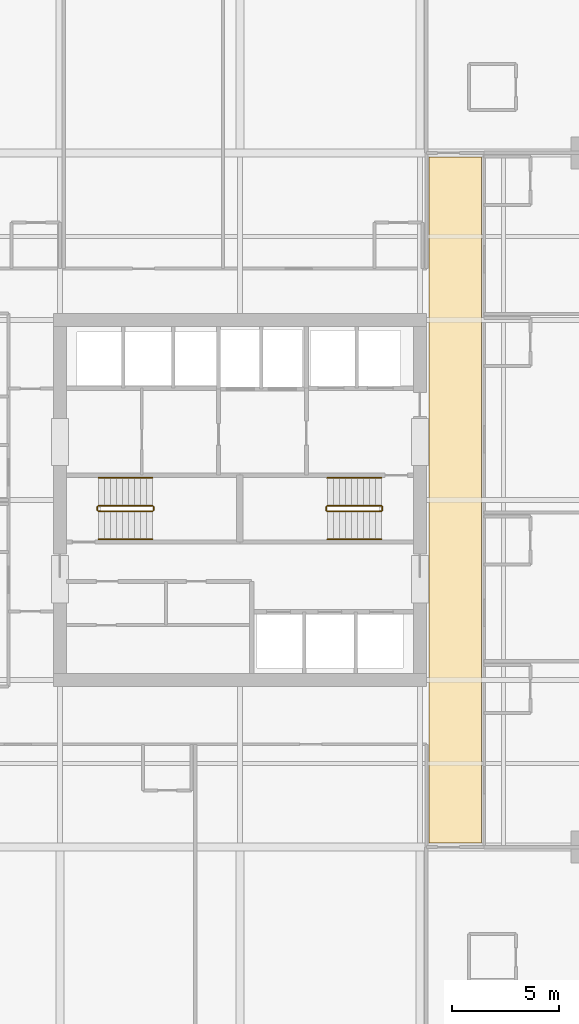
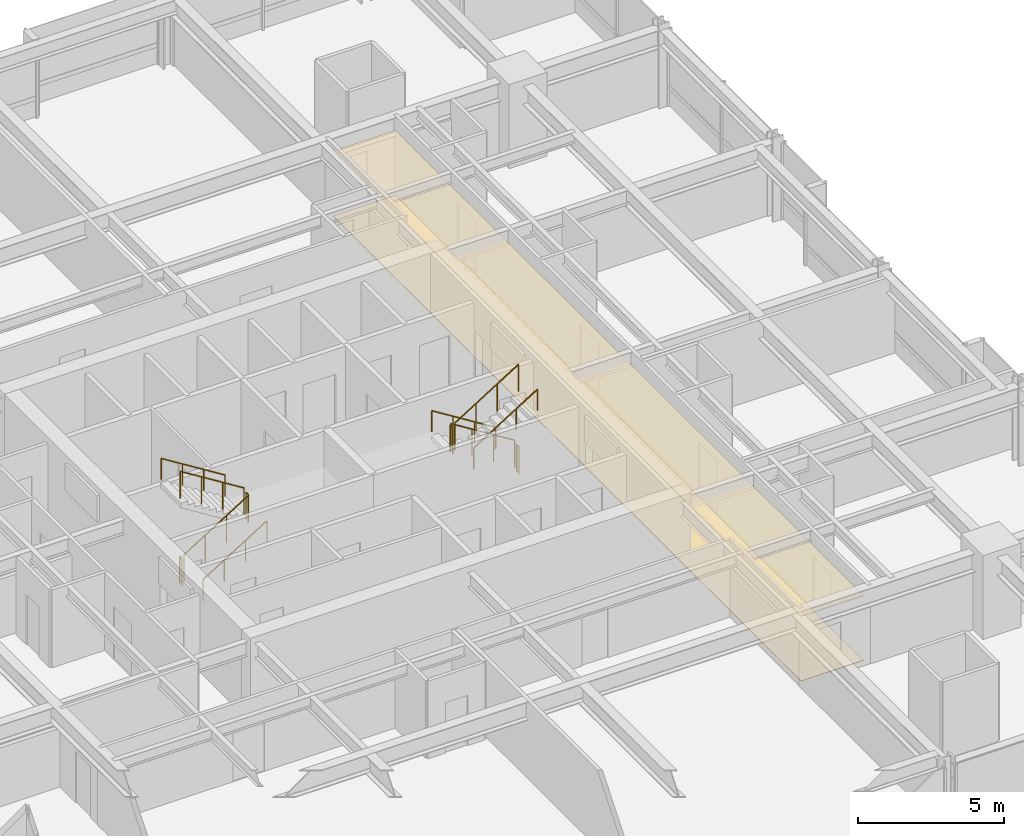
# One storey, part 32 of 33: 12 railings, 2 coverings.
"""IFC4 building model written with IfcOpenShell, lengths in metres."""

from ifc_helpers import new_model, si_unit, direction, frame, origin, origin_2d, place, context, subcontext, project, spatial, polyline, circle, outline, extrude, material, layer, layer_set, type_object, element, save


model = new_model("IFC4")

# Units and contexts
model_context = context("Model", 3, precision=1e-05, world=origin(), true_north=direction((0.0, 1.0)))
body_context = subcontext(model_context, "Body", "Model", "MODEL_VIEW")
ifc_project = project(units=[si_unit("LENGTHUNIT", "METRE"), si_unit("AREAUNIT", "SQUARE_METRE"), si_unit("VOLUMEUNIT", "CUBIC_METRE"), si_unit("PLANEANGLEUNIT", "RADIAN"), si_unit("MASSUNIT", "GRAM", prefix="KILO")], contexts=[model_context])

# Site, building, storey
site_placement = place(None, origin())
site = spatial("IfcSite", under=ifc_project, at=site_placement, CompositionType="ELEMENT")
building_placement = place(site_placement, origin())
building = spatial("IfcBuilding", under=site, at=building_placement, Name="Drelvath Grand Hotel", CompositionType="ELEMENT")
storey_placement = place(building_placement, frame((0.0, 0.0, 105.800048828125)))
storey = spatial("IfcBuildingStorey", under=building, at=storey_placement, Name="L26", CompositionType="ELEMENT", Elevation=105.800048828125)

# Railings
ifc_material_1 = material(Name="Painted Steel S275", Category="steel")
railing_type_1 = type_object("IfcRailingType", Name="Core Stair Wall Handrail 900", PredefinedType="HANDRAIL", material=ifc_material_1)
railing_1_placement = place(storey_placement, frame((-6.60009765625, 25.169921875, 0.175048828125)))
element("IfcRailing", 1, at=railing_1_placement, inside=storey, type_object=railing_type_1, Name="L26 ST-1 stair handrail 1", PredefinedType="HANDRAIL", context=body_context, shape_type="SweptSolid", body=[
    extrude(circle(Radius=0.02392578125, at=origin_2d()), frame((0.0, 0.0, 0.8759765625), z_axis=(0.848007534815, 0.0, 0.529984170421), x_axis=(0.0, 1.0, 0.0)), (0.0, 0.0, 1.0), 2.9716796875),
    extrude(circle(Radius=0.02099609375, at=origin_2d()), origin(), (0.0, 0.0, 1.0), 0.851806640625),
    extrude(circle(Radius=0.02099609375, at=origin_2d()), frame((0.840087890625, 0.0, 0.52490234375)), (0.0, 0.0, 1.0), 0.851806640625),
    extrude(circle(Radius=0.02099609375, at=origin_2d()), frame((1.679931640625, 0.0, 1.050048828125)), (0.0, 0.0, 1.0), 0.851806640625),
    extrude(circle(Radius=0.02099609375, at=origin_2d()), frame((2.52001953125, 0.0, 1.574951171875)), (0.0, 0.0, 1.0), 0.851806640625),
])
for number, where, name in (
    (2, (-4.080078125, 28.030029296875, 1.925048828125), "L26 ST-1 stair handrail 2"),
    (3, (6.60009765625, 28.030029296875, 0.175048828125), "L26 ST-2 stair handrail 1"),
):
    element("IfcRailing", number, at=place(storey_placement, frame(where)), inside=storey, type_object=railing_type_1, Name=name, PredefinedType="HANDRAIL", context=body_context, shape_type="SweptSolid", body=[
        extrude(circle(Radius=0.02392578125, at=origin_2d()), frame((0.0, 0.0, 0.8759765625), z_axis=(-0.848007534815, 0.0, 0.529984170421), x_axis=(0.0, -1.0, 0.0)), (0.0, 0.0, 1.0), 2.9716796875),
        extrude(circle(Radius=0.02099609375, at=origin_2d()), origin(), (0.0, 0.0, 1.0), 0.851806640625),
        extrude(circle(Radius=0.02099609375, at=origin_2d()), frame((-0.840087890625, 0.0, 0.52490234375)), (0.0, 0.0, 1.0), 0.851806640625),
        extrude(circle(Radius=0.02099609375, at=origin_2d()), frame((-1.679931640625, 0.0, 1.050048828125)), (0.0, 0.0, 1.0), 0.851806640625),
        extrude(circle(Radius=0.02099609375, at=origin_2d()), frame((-2.52001953125, 0.0, 1.574951171875)), (0.0, 0.0, 1.0), 0.851806640625),
    ])
railing_2_placement = place(storey_placement, frame((4.080078125, 25.169921875, 1.925048828125)))
element("IfcRailing", 4, at=railing_2_placement, inside=storey, type_object=railing_type_1, Name="L26 ST-2 stair handrail 2", PredefinedType="HANDRAIL", context=body_context, shape_type="SweptSolid", body=[
    extrude(circle(Radius=0.02392578125, at=origin_2d()), frame((0.0, 0.0, 0.8759765625), z_axis=(0.848007534815, 0.0, 0.529984170421), x_axis=(0.0, 1.0, 0.0)), (0.0, 0.0, 1.0), 2.9716796875),
    extrude(circle(Radius=0.02099609375, at=origin_2d()), origin(), (0.0, 0.0, 1.0), 0.851806640625),
    extrude(circle(Radius=0.02099609375, at=origin_2d()), frame((0.840087890625, 0.0, 0.52490234375)), (0.0, 0.0, 1.0), 0.851806640625),
    extrude(circle(Radius=0.02099609375, at=origin_2d()), frame((1.679931640625, 0.0, 1.050048828125)), (0.0, 0.0, 1.0), 0.851806640625),
    extrude(circle(Radius=0.02099609375, at=origin_2d()), frame((2.52001953125, 0.0, 1.574951171875)), (0.0, 0.0, 1.0), 0.851806640625),
])
railing_type_2 = type_object("IfcRailingType", Name="Core Stair Well Guardrail 1100", PredefinedType="GUARDRAIL", material=ifc_material_1)
railing_3_placement = place(storey_placement, frame((-6.60009765625, 26.469970703125, 0.175048828125)))
element("IfcRailing", 5, at=railing_3_placement, inside=storey, type_object=railing_type_2, Name="L26 ST-1 stair guard 1", PredefinedType="GUARDRAIL", context=body_context, shape_type="SweptSolid", body=[
    extrude(circle(Radius=0.02392578125, at=origin_2d()), frame((0.0, 0.0, 1.1259765625), z_axis=(0.848007534815, 0.0, 0.529984170421), x_axis=(0.0, 1.0, 0.0)), (0.0, 0.0, 1.0), 2.9716796875),
    extrude(circle(Radius=0.02099609375, at=origin_2d()), origin(), (0.0, 0.0, 1.0), 1.101806640625),
    extrude(circle(Radius=0.02099609375, at=origin_2d()), frame((0.840087890625, 0.0, 0.52490234375)), (0.0, 0.0, 1.0), 1.101806640625),
    extrude(circle(Radius=0.02099609375, at=origin_2d()), frame((1.679931640625, 0.0, 1.050048828125)), (0.0, 0.0, 1.0), 1.101806640625),
    extrude(circle(Radius=0.02099609375, at=origin_2d()), frame((2.52001953125, 0.0, 1.574951171875)), (0.0, 0.0, 1.0), 1.101806640625),
])
railing_4_placement = place(storey_placement, frame((-4.030029296875, 26.52001953125, 1.75)))
element("IfcRailing", 6, at=railing_4_placement, inside=storey, type_object=railing_type_2, Name="L26 ST-1 stair guard 2", PredefinedType="GUARDRAIL", context=body_context, shape_type="SweptSolid", body=[
    extrude(circle(Radius=0.02392578125, at=origin_2d()), frame((0.0, 0.0, 1.1259765625), z_axis=(0.0, 1.0, 0.0), x_axis=(-1.0, 0.0, 0.0)), (0.0, 0.0, 1.0), 0.159912109375),
    extrude(circle(Radius=0.02099609375, at=origin_2d()), origin(), (0.0, 0.0, 1.0), 1.101806640625),
    extrude(circle(Radius=0.02099609375, at=origin_2d()), frame((0.0, 0.159912109375, 0.0)), (0.0, 0.0, 1.0), 1.101806640625),
])
railing_5_placement = place(storey_placement, frame((-4.080078125, 26.72998046875, 1.925048828125)))
element("IfcRailing", 7, at=railing_5_placement, inside=storey, type_object=railing_type_2, Name="L26 ST-1 stair guard 3", PredefinedType="GUARDRAIL", context=body_context, shape_type="SweptSolid", body=[
    extrude(circle(Radius=0.02392578125, at=origin_2d()), frame((0.0, 0.0, 1.1259765625), z_axis=(-0.848007534815, 0.0, 0.529984170421), x_axis=(0.0, -1.0, 0.0)), (0.0, 0.0, 1.0), 2.9716796875),
    extrude(circle(Radius=0.02099609375, at=origin_2d()), origin(), (0.0, 0.0, 1.0), 1.101806640625),
    extrude(circle(Radius=0.02099609375, at=origin_2d()), frame((-0.840087890625, 0.0, 0.52490234375)), (0.0, 0.0, 1.0), 1.101806640625),
    extrude(circle(Radius=0.02099609375, at=origin_2d()), frame((-1.679931640625, 0.0, 1.050048828125)), (0.0, 0.0, 1.0), 1.101806640625),
    extrude(circle(Radius=0.02099609375, at=origin_2d()), frame((-2.52001953125, 0.0, 1.574951171875)), (0.0, 0.0, 1.0), 1.101806640625),
])
railing_6_placement = place(storey_placement, frame((-6.64990234375, 26.52001953125, 0.0)))
element("IfcRailing", 8, at=railing_6_placement, inside=storey, type_object=railing_type_2, Name="L26 ST-1 stair guard 4", PredefinedType="GUARDRAIL", context=body_context, shape_type="SweptSolid", body=[
    extrude(circle(Radius=0.02392578125, at=origin_2d()), frame((0.0, 0.0, 1.1259765625), z_axis=(0.0, 1.0, 0.0), x_axis=(-1.0, 0.0, 0.0)), (0.0, 0.0, 1.0), 0.159912109375),
    extrude(circle(Radius=0.02099609375, at=origin_2d()), origin(), (0.0, 0.0, 1.0), 1.101806640625),
    extrude(circle(Radius=0.02099609375, at=origin_2d()), frame((0.0, 0.159912109375, 0.0)), (0.0, 0.0, 1.0), 1.101806640625),
])
railing_7_placement = place(storey_placement, frame((6.60009765625, 26.72998046875, 0.175048828125)))
element("IfcRailing", 9, at=railing_7_placement, inside=storey, type_object=railing_type_2, Name="L26 ST-2 stair guard 1", PredefinedType="GUARDRAIL", context=body_context, shape_type="SweptSolid", body=[
    extrude(circle(Radius=0.02392578125, at=origin_2d()), frame((0.0, 0.0, 1.1259765625), z_axis=(-0.848007534815, 0.0, 0.529984170421), x_axis=(0.0, -1.0, 0.0)), (0.0, 0.0, 1.0), 2.9716796875),
    extrude(circle(Radius=0.02099609375, at=origin_2d()), origin(), (0.0, 0.0, 1.0), 1.101806640625),
    extrude(circle(Radius=0.02099609375, at=origin_2d()), frame((-0.840087890625, 0.0, 0.52490234375)), (0.0, 0.0, 1.0), 1.101806640625),
    extrude(circle(Radius=0.02099609375, at=origin_2d()), frame((-1.679931640625, 0.0, 1.050048828125)), (0.0, 0.0, 1.0), 1.101806640625),
    extrude(circle(Radius=0.02099609375, at=origin_2d()), frame((-2.52001953125, 0.0, 1.574951171875)), (0.0, 0.0, 1.0), 1.101806640625),
])
railing_8_placement = place(storey_placement, frame((4.030029296875, 26.679931640625, 1.75)))
element("IfcRailing", 10, at=railing_8_placement, inside=storey, type_object=railing_type_2, Name="L26 ST-2 stair guard 2", PredefinedType="GUARDRAIL", context=body_context, shape_type="SweptSolid", body=[
    extrude(circle(Radius=0.02392578125, at=origin_2d()), frame((0.0, 0.0, 1.1259765625), z_axis=(0.0, -1.0, 0.0), x_axis=(1.0, 0.0, 0.0)), (0.0, 0.0, 1.0), 0.159912109375),
    extrude(circle(Radius=0.02099609375, at=origin_2d()), origin(), (0.0, 0.0, 1.0), 1.101806640625),
    extrude(circle(Radius=0.02099609375, at=origin_2d()), frame((0.0, -0.159912109375, 0.0)), (0.0, 0.0, 1.0), 1.101806640625),
])
railing_9_placement = place(storey_placement, frame((4.080078125, 26.469970703125, 1.925048828125)))
element("IfcRailing", 11, at=railing_9_placement, inside=storey, type_object=railing_type_2, Name="L26 ST-2 stair guard 3", PredefinedType="GUARDRAIL", context=body_context, shape_type="SweptSolid", body=[
    extrude(circle(Radius=0.02392578125, at=origin_2d()), frame((0.0, 0.0, 1.1259765625), z_axis=(0.848007534815, 0.0, 0.529984170421), x_axis=(0.0, 1.0, 0.0)), (0.0, 0.0, 1.0), 2.9716796875),
    extrude(circle(Radius=0.02099609375, at=origin_2d()), origin(), (0.0, 0.0, 1.0), 1.101806640625),
    extrude(circle(Radius=0.02099609375, at=origin_2d()), frame((0.840087890625, 0.0, 0.52490234375)), (0.0, 0.0, 1.0), 1.101806640625),
    extrude(circle(Radius=0.02099609375, at=origin_2d()), frame((1.679931640625, 0.0, 1.050048828125)), (0.0, 0.0, 1.0), 1.101806640625),
    extrude(circle(Radius=0.02099609375, at=origin_2d()), frame((2.52001953125, 0.0, 1.574951171875)), (0.0, 0.0, 1.0), 1.101806640625),
])
railing_10_placement = place(storey_placement, frame((6.64990234375, 26.679931640625, 0.0)))
element("IfcRailing", 12, at=railing_10_placement, inside=storey, type_object=railing_type_2, Name="L26 ST-2 stair guard 4", PredefinedType="GUARDRAIL", context=body_context, shape_type="SweptSolid", body=[
    extrude(circle(Radius=0.02392578125, at=origin_2d()), frame((0.0, 0.0, 1.1259765625), z_axis=(0.0, -1.0, 0.0), x_axis=(1.0, 0.0, 0.0)), (0.0, 0.0, 1.0), 0.159912109375),
    extrude(circle(Radius=0.02099609375, at=origin_2d()), origin(), (0.0, 0.0, 1.0), 1.101806640625),
    extrude(circle(Radius=0.02099609375, at=origin_2d()), frame((0.0, -0.159912109375, 0.0)), (0.0, 0.0, 1.0), 1.101806640625),
])

# Coverings
ifc_material_2 = material(Name="Woven Wool Broadloom Carpet")
ifc_layer_1 = layer(ifc_material_2, 0.01806640625)
ifc_layer_set_1 = layer_set([ifc_layer_1], Name="Woven Wool Broadloom Carpet")
covering_type_1 = type_object("IfcCoveringType", Name="Hospitality Broadloom Carpet 18", PredefinedType="FLOORING", material=ifc_layer_set_1)
covering_1_placement = place(storey_placement, origin())
element("IfcCovering", 13, at=covering_1_placement, inside=storey, type_object=covering_type_1, Name="L26 East Spine Carpet", PredefinedType="FLOORING", context=body_context, shape_type="SweptSolid", body=[
    extrude(outline(polyline([(11.280029296875, 11.0), (11.280029296875, 43.0), (8.820068359375, 43.0), (8.820068359375, 11.0), (11.280029296875, 11.0)])), origin(), (0.0, 0.0, 1.0), 0.01806640625),
])
ifc_material_3 = material(Name="Anodised Aluminium Alloy", Category="aluminium")
ifc_layer_2 = layer(ifc_material_3, 0.0400390625)
ifc_layer_set_2 = layer_set([ifc_layer_2], Name="Anodised Aluminium Alloy")
covering_type_2 = type_object("IfcCoveringType", Name="Perforated Metal Corridor Ceiling 40", PredefinedType="CEILING", material=ifc_layer_set_2)
covering_2_placement = place(storey_placement, frame((0.0, 0.0, 2.68994140625)))
element("IfcCovering", 14, at=covering_2_placement, inside=storey, type_object=covering_type_2, Name="L26 East Spine Ceiling", PredefinedType="CEILING", context=body_context, shape_type="SweptSolid", body=[
    extrude(outline(polyline([(11.280029296875, 11.0), (11.280029296875, 43.0), (8.820068359375, 43.0), (8.820068359375, 11.0), (11.280029296875, 11.0)])), origin(), (0.0, 0.0, 1.0), 0.0400390625),
])

save(model, "model.ifc")
